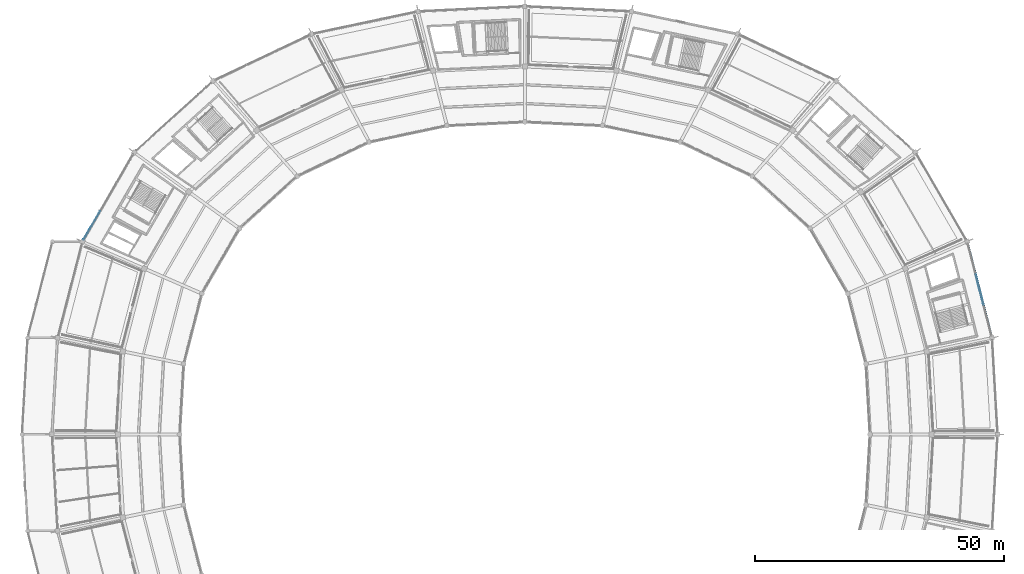
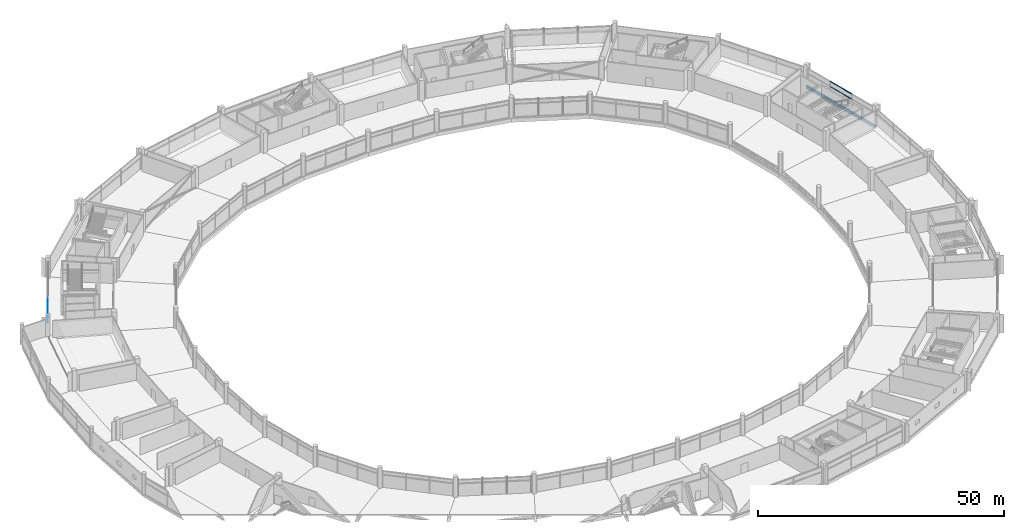
# One storey, part 91 of 184: 4 members, 1 beam, 2 elements without a shape of their own.
"""IFC4 building model written with IfcOpenShell, lengths in metres."""

from ifc_helpers import new_model, si_unit, direction, frame, origin, origin_2d, place, context, subcontext, project, spatial, rectangle, hollow_rectangle, extrude, material, layer, layer_set, material_profile, profile_set, type_object, element, aggregate, save


model = new_model("IFC4")

# Units and contexts
model_context = context("Model", 3, precision=1e-05, world=origin(), true_north=direction((0.0, 1.0)))
body_context = subcontext(model_context, "Body", "Model", "MODEL_VIEW")
ifc_project = project(units=[si_unit("LENGTHUNIT", "METRE"), si_unit("AREAUNIT", "SQUARE_METRE"), si_unit("VOLUMEUNIT", "CUBIC_METRE"), si_unit("PLANEANGLEUNIT", "RADIAN"), si_unit("MASSUNIT", "GRAM", prefix="KILO")], contexts=[model_context])

# Site, building, storey
site_placement = place(None, origin())
site = spatial("IfcSite", under=ifc_project, at=site_placement, CompositionType="ELEMENT")
building_placement = place(site_placement, origin())
building = spatial("IfcBuilding", under=site, at=building_placement, Name="Kazemori Nagisa Stadium", CompositionType="ELEMENT")
storey_placement = place(building_placement, frame((0.0, 0.0, 10.5400390625)))
storey = spatial("IfcBuildingStorey", under=building, at=storey_placement, Name="L02", CompositionType="ELEMENT", Elevation=10.5400390625)

# Beam
ifc_material_1 = material(Name="Concrete C40/50 (Fc42)", Category="concrete")
ifc_material_profile_1 = material_profile(ifc_material_1, rectangle(XDim=0.35009765625, YDim=0.699951171875, at=origin_2d()), Name="RC-SP-350x700")
ifc_profile_set_1 = profile_set([ifc_material_profile_1], Name="Concrete C40/50 (Fc42)")
beam_type = type_object("IfcBeamType", Name="Beam_BS-RC350X700", PredefinedType="SPANDREL", material=ifc_profile_set_1)
beam_placement = place(storey_placement, frame((216.880859375, 121.397705078125, -0.610107421875), z_axis=(-0.249964097999, 0.968255105699, 0.0), x_axis=(-0.968255105699, -0.249964097999, 0.0)))
element("IfcBeam", 1, at=beam_placement, inside=storey, type_object=beam_type, Name="Ring girder BS-RC350X700 L02 R3-02", PredefinedType="SPANDREL", context=body_context, shape_type="SweptSolid", body=[
    extrude(rectangle(XDim=0.35009765625, YDim=0.699951171875, at=origin_2d()), origin(), (0.0, 0.0, 1.0), 19.986328125),
])

# Curtain wall, members
ifc_material_2 = material(Name="Anodised aluminium 6063-T5", Category="aluminium")
ifc_layer_1 = layer(ifc_material_2, 0.2099609375, Name="Anodised aluminium 6063-T5", Category="aluminium")
ifc_layer_set_1 = layer_set([ifc_layer_1], Name="Anodised aluminium 6063-T5")
curtain_wall_type_1 = type_object("IfcCurtainWallType", Name="CW_L02R3_96", PredefinedType="USERDEFINED", material=ifc_layer_set_1)
curtain_wall_1_placement = place(storey_placement, origin())
curtain_wall_1 = element("IfcCurtainWall", 2, at=curtain_wall_1_placement, inside=storey, type_object=curtain_wall_type_1, Name="Unitised curtain wall CW-L02R3-96 L02", ObjectType="UNITISED CURTAIN WALL", PredefinedType="USERDEFINED")
ifc_material_3 = material(Name="Aluminium 6063-T5 anodised", Category="aluminium")
ifc_material_profile_2 = material_profile(ifc_material_3, hollow_rectangle(XDim=0.080078125, YDim=0.159912109375, WallThickness=0.00390625, at=origin_2d()), Name="ALU-TRAN-80x160x4")
ifc_profile_set_2 = profile_set([ifc_material_profile_2], Name="Aluminium 6063-T5 anodised")
member_type = type_object("IfcMemberType", Name="Transom_T02", PredefinedType="USERDEFINED", material=ifc_profile_set_2)
member_1_placement = place(storey_placement, frame((215.1708984375, 128.02099609375, 2.84912109375), z_axis=(-0.249971699633, 0.968253143234, 0.0), x_axis=(-0.968253143234, -0.249971699633, 0.0)))
member_1 = element("IfcMember", 3, at=member_1_placement, type_object=member_type, Name="Curtain wall transom CW-L02R3-96-T2-mid", ObjectType="TRANSOM", PredefinedType="USERDEFINED", context=body_context, shape_type="SweptSolid", body=[
    extrude(hollow_rectangle(XDim=0.080078125, YDim=0.159912109375, WallThickness=0.00390625, at=origin_2d()), origin(), (0.0, 0.0, 1.0), 6.305419921875),
])
member_2_placement = place(storey_placement, frame((215.1708984375, 128.02099609375, 4.119873046875), z_axis=(-0.249971699633, 0.968253143234, 0.0), x_axis=(-0.968253143234, -0.249971699633, 0.0)))
member_2 = element("IfcMember", 4, at=member_2_placement, type_object=member_type, Name="Curtain wall transom CW-L02R3-96-T2-head", ObjectType="TRANSOM", PredefinedType="USERDEFINED", context=body_context, shape_type="SweptSolid", body=[
    extrude(hollow_rectangle(XDim=0.080078125, YDim=0.159912109375, WallThickness=0.00390625, at=origin_2d()), origin(), (0.0, 0.0, 1.0), 6.305419921875),
])
aggregate(curtain_wall_1, [member_1, member_2])

ifc_layer_2 = layer(ifc_material_2, 0.2099609375, Name="Anodised aluminium 6063-T5", Category="aluminium")
ifc_layer_set_2 = layer_set([ifc_layer_2], Name="Anodised aluminium 6063-T5")
curtain_wall_type_2 = type_object("IfcCurtainWallType", Name="CW_L02R3_99", PredefinedType="USERDEFINED", material=ifc_layer_set_2)
curtain_wall_2_placement = place(storey_placement, origin())
curtain_wall_2 = element("IfcCurtainWall", 5, at=curtain_wall_2_placement, inside=storey, type_object=curtain_wall_type_2, Name="Unitised curtain wall CW-L02R3-99 L02", ObjectType="UNITISED CURTAIN WALL", PredefinedType="USERDEFINED")
member_3_placement = place(storey_placement, frame((37.647705078125, 146.841796875, 2.84912109375), z_axis=(-0.501634382126, -0.865079734284, 0.0), x_axis=(0.865079734284, -0.501634382126, 0.0)))
member_3 = element("IfcMember", 6, at=member_3_placement, type_object=member_type, Name="Curtain wall transom CW-L02R3-99-T3-mid", ObjectType="TRANSOM", PredefinedType="USERDEFINED", context=body_context, shape_type="SweptSolid", body=[
    extrude(hollow_rectangle(XDim=0.080078125, YDim=0.159912109375, WallThickness=0.00390625, at=origin_2d()), origin(), (0.0, 0.0, 1.0), 6.54736328125),
])
member_4_placement = place(storey_placement, frame((37.647705078125, 146.841796875, 4.119873046875), z_axis=(-0.501634382126, -0.865079734284, 0.0), x_axis=(0.865079734284, -0.501634382126, 0.0)))
member_4 = element("IfcMember", 7, at=member_4_placement, type_object=member_type, Name="Curtain wall transom CW-L02R3-99-T3-head", ObjectType="TRANSOM", PredefinedType="USERDEFINED", context=body_context, shape_type="SweptSolid", body=[
    extrude(hollow_rectangle(XDim=0.080078125, YDim=0.159912109375, WallThickness=0.00390625, at=origin_2d()), origin(), (0.0, 0.0, 1.0), 6.54736328125),
])
aggregate(curtain_wall_2, [member_3, member_4])

save(model, "model.ifc")
